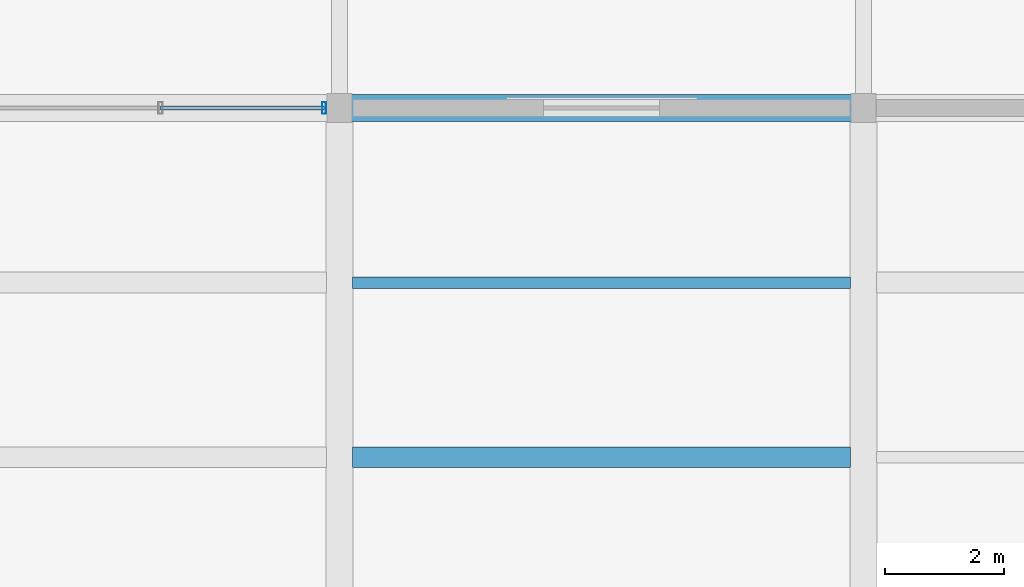
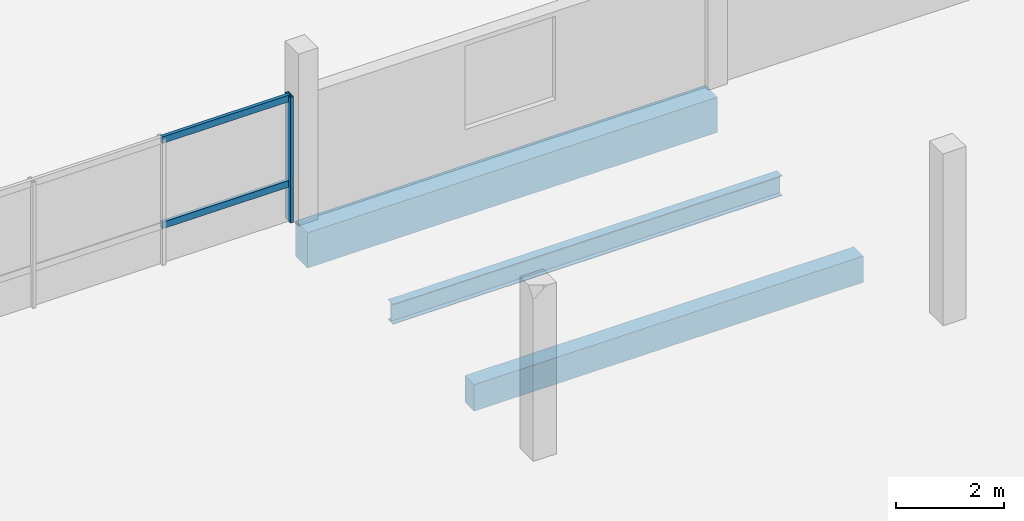
# One storey, part 46 of 62: 3 beams, 3 members, 1 element without a shape of its own.
"""IFC4 building model written with IfcOpenShell, lengths in metres."""

from ifc_helpers import new_model, si_unit, direction, frame, origin, origin_2d, place, context, subcontext, project, spatial, rectangle, hollow_rectangle, i_section, extrude, material, layer, layer_set, material_profile, profile_set, type_object, element, aggregate, save


model = new_model("IFC4")

# Units and contexts
model_context = context("Model", 3, precision=1e-05, world=origin(), true_north=direction((0.0, 1.0)))
body_context = subcontext(model_context, "Body", "Model", "MODEL_VIEW")
ifc_project = project(units=[si_unit("LENGTHUNIT", "METRE"), si_unit("AREAUNIT", "SQUARE_METRE"), si_unit("VOLUMEUNIT", "CUBIC_METRE"), si_unit("PLANEANGLEUNIT", "RADIAN"), si_unit("MASSUNIT", "GRAM", prefix="KILO")], contexts=[model_context])

# Site, building, storey
site_placement = place(None, origin())
site = spatial("IfcSite", under=ifc_project, at=site_placement, CompositionType="ELEMENT")
building_placement = place(site_placement, origin())
building = spatial("IfcBuilding", under=site, at=building_placement, Name="Meriwether Solvik Hall", CompositionType="ELEMENT")
storey_placement = place(building_placement, frame((0.0, 0.0, 14.39990234375)))
storey = spatial("IfcBuildingStorey", under=building, at=storey_placement, Name="L03", CompositionType="ELEMENT", Elevation=14.39990234375)

# Beams
ifc_material_1 = material(Name="Concrete C40/50", Category="concrete")
ifc_material_profile_1 = material_profile(ifc_material_1, rectangle(XDim=0.35009765625, YDim=0.60009765625, at=origin_2d()), Name="RCB-350X600")
ifc_profile_set_1 = profile_set([ifc_material_profile_1], Name="Concrete C40/50")
beam_type_1 = type_object("IfcBeamType", Name="BM-RC-350X600", PredefinedType="JOIST", material=ifc_profile_set_1)
beam_1_placement = place(storey_placement, frame((149.6201171875, 86.933349609375, -0.544921875), z_axis=(1.0, 0.0, 0.0), x_axis=(0.0, 1.0, 0.0)))
element("IfcBeam", 1, at=beam_1_placement, inside=storey, type_object=beam_type_1, Name="Secondary Floor Joist 17/J_J1 (L03)", PredefinedType="JOIST", context=body_context, shape_type="SweptSolid", body=[
    extrude(rectangle(XDim=0.35009765625, YDim=0.60009765625, at=origin_2d()), origin(), (0.0, 0.0, 1.0), 8.35986328125),
])
ifc_material_2 = material(Name="Concrete C40/50", Category="concrete")
ifc_material_profile_2 = material_profile(ifc_material_2, rectangle(XDim=0.449951171875, YDim=0.800048828125, at=origin_2d()), Name="RCB-450X800")
ifc_profile_set_2 = profile_set([ifc_material_profile_2], Name="Concrete C40/50")
beam_type_2 = type_object("IfcBeamType", Name="BM-RC-450X800", PredefinedType="BEAM", material=ifc_profile_set_2)
beam_2_placement = place(storey_placement, frame((149.39990234375, 92.800048828125, -0.64501953125), z_axis=(1.0, 0.0, 0.0), x_axis=(0.0, 1.0, 0.0)))
element("IfcBeam", 2, at=beam_2_placement, inside=storey, type_object=beam_type_2, Name="Podium Girder K:17-18 (L03)", PredefinedType="BEAM", context=body_context, shape_type="SweptSolid", body=[
    extrude(rectangle(XDim=0.449951171875, YDim=0.800048828125, at=origin_2d()), origin(), (0.0, 0.0, 1.0), 8.800048828125),
])
ifc_material_3 = material(Name="Steel A992 Grade 50", Category="steel")
ifc_material_profile_3 = material_profile(ifc_material_3, i_section(OverallWidth=0.19091796875, OverallDepth=0.45703125, WebThickness=0.009033203125, FlangeThickness=0.014404296875, at=origin_2d()), Name="W18X50")
ifc_profile_set_3 = profile_set([ifc_material_profile_3], Name="Steel A992 Grade 50")
beam_type_3 = type_object("IfcBeamType", Name="BM-STL-W18X50", PredefinedType="JOIST", material=ifc_profile_set_3)
beam_3_placement = place(storey_placement, frame((149.6201171875, 89.86669921875, -0.473388671875), z_axis=(1.0, 0.0, 0.0), x_axis=(0.0, 1.0, 0.0)))
element("IfcBeam", 3, at=beam_3_placement, inside=storey, type_object=beam_type_3, Name="Secondary Floor Joist 17/J_J2 (L03)", PredefinedType="JOIST", context=body_context, shape_type="SweptSolid", body=[
    extrude(i_section(OverallWidth=0.19091796875, OverallDepth=0.45703125, WebThickness=0.009033203125, FlangeThickness=0.014404296875, at=origin_2d()), origin(), (0.0, 0.0, 1.0), 8.35986328125),
])

# Curtain wall, members
ifc_material_4 = material(Name="Thermally Broken Anodised Aluminium 6063-T6 and Low-E Glass", Category="aluminium")
ifc_layer = layer(ifc_material_4, 0.179931640625)
ifc_layer_set = layer_set([ifc_layer], Name="Thermally Broken Anodised Aluminium 6063-T6 and Low-E Glass")
curtain_wall_type = type_object("IfcCurtainWallType", Name="CW-UNIT-E", PredefinedType="USERDEFINED", material=ifc_layer_set)
curtain_wall_placement = place(storey_placement, origin())
curtain_wall = element("IfcCurtainWall", 4, at=curtain_wall_placement, inside=storey, type_object=curtain_wall_type, Name="Curtain Wall wing_XK_16_21 (L03)", ObjectType="UNITISED CURTAIN WALL", PredefinedType="USERDEFINED")
ifc_material_5 = material(Name="Anodised Aluminium 6063-T6", Category="aluminium")
ifc_material_profile_4 = material_profile(ifc_material_5, hollow_rectangle(XDim=0.070068359375, YDim=0.199951171875, WallThickness=0.0048828125, at=origin_2d()), Name="CWM-70X200")
ifc_profile_set_4 = profile_set([ifc_material_profile_4], Name="Anodised Aluminium 6063-T6")
member_type_1 = type_object("IfcMemberType", Name="CW-MUL-70X200", PredefinedType="MULLION", material=ifc_profile_set_4)
member_1_placement = place(storey_placement, frame((149.139892578125, 92.800048828125, 0.0), z_axis=(0.0, 0.0, 1.0), x_axis=(1.0, 0.0, 0.0)))
member_1 = element("IfcMember", 5, at=member_1_placement, type_object=member_type_1, Name="Curtain Wall Mullion 4", PredefinedType="MULLION", context=body_context, shape_type="SweptSolid", body=[
    extrude(hollow_rectangle(XDim=0.070068359375, YDim=0.199951171875, WallThickness=0.0048828125, at=origin_2d()), origin(), (0.0, 0.0, 1.0), 2.85498046875),
])
ifc_material_6 = material(Name="Anodised Aluminium 6063-T6", Category="aluminium")
ifc_material_profile_5 = material_profile(ifc_material_6, hollow_rectangle(XDim=0.070068359375, YDim=0.14990234375, WallThickness=0.0048828125, at=origin_2d()), Name="CWT-70X150")
ifc_profile_set_5 = profile_set([ifc_material_profile_5], Name="Anodised Aluminium 6063-T6")
member_type_2 = type_object("IfcMemberType", Name="CW-TRN-70X150", PredefinedType="USERDEFINED", material=ifc_profile_set_5)
member_2_placement = place(storey_placement, frame((146.392578125, 92.800048828125, 0.856689453125), z_axis=(1.0, 0.0, 0.0), x_axis=(0.0, 1.0, 0.0)))
member_2 = element("IfcMember", 6, at=member_2_placement, type_object=member_type_2, Name="Curtain Wall Transom 3-sill", ObjectType="TRANSOM", PredefinedType="USERDEFINED", context=body_context, shape_type="SweptSolid", body=[
    extrude(hollow_rectangle(XDim=0.070068359375, YDim=0.14990234375, WallThickness=0.0048828125, at=origin_2d()), origin(), (0.0, 0.0, 1.0), 2.747314453125),
])
member_3_placement = place(storey_placement, frame((146.392578125, 92.800048828125, 2.795166015625), z_axis=(1.0, 0.0, 0.0), x_axis=(0.0, 1.0, 0.0)))
member_3 = element("IfcMember", 7, at=member_3_placement, type_object=member_type_2, Name="Curtain Wall Transom 3-head", ObjectType="TRANSOM", PredefinedType="USERDEFINED", context=body_context, shape_type="SweptSolid", body=[
    extrude(hollow_rectangle(XDim=0.070068359375, YDim=0.14990234375, WallThickness=0.0048828125, at=origin_2d()), origin(), (0.0, 0.0, 1.0), 2.747314453125),
])
aggregate(curtain_wall, [member_1, member_2, member_3])

save(model, "model.ifc")
